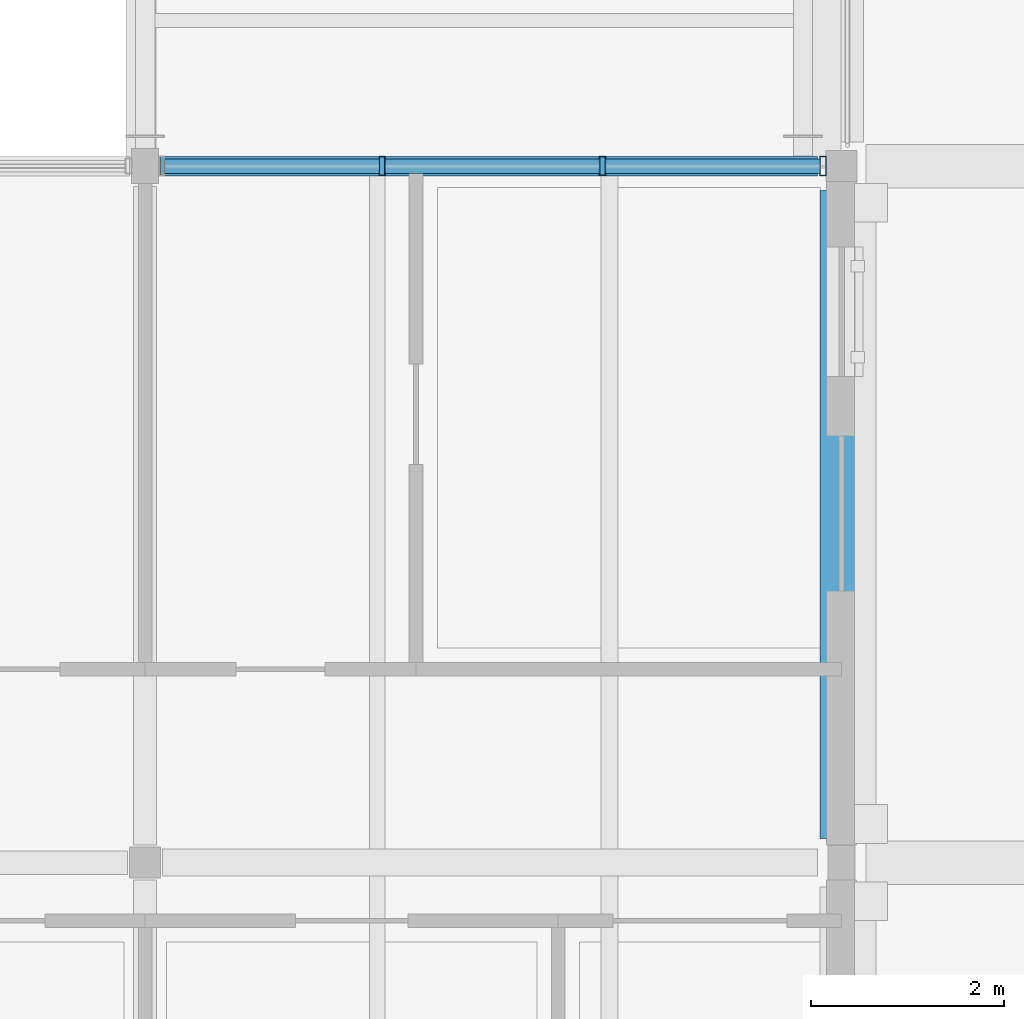
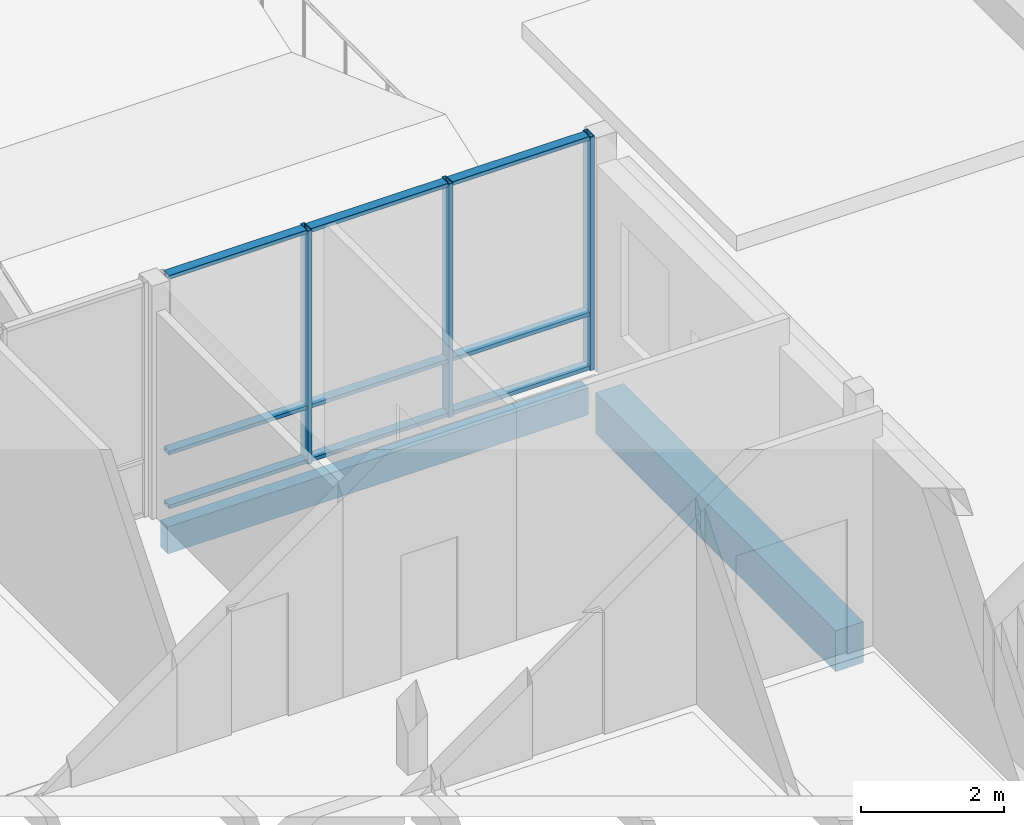
# One storey, part 41 of 115: 12 members, 2 beams, 1 element without a shape of its own.
"""IFC4 building model written with IfcOpenShell, lengths in metres."""

from ifc_helpers import new_model, si_unit, direction, frame, origin, origin_2d, place, context, subcontext, project, spatial, rectangle, hollow_rectangle, extrude, material, material_profile, profile_set, type_object, element, aggregate, save


model = new_model("IFC4")

# Units and contexts
model_context = context("Model", 3, precision=1e-05, world=origin(), true_north=direction((0.0, 1.0)))
body_context = subcontext(model_context, "Body", "Model", "MODEL_VIEW")
ifc_project = project(units=[si_unit("LENGTHUNIT", "METRE"), si_unit("AREAUNIT", "SQUARE_METRE"), si_unit("VOLUMEUNIT", "CUBIC_METRE"), si_unit("PLANEANGLEUNIT", "RADIAN"), si_unit("MASSUNIT", "GRAM", prefix="KILO")], contexts=[model_context])

# Site, building, storey
site_placement = place(None, origin())
site = spatial("IfcSite", under=ifc_project, at=site_placement, CompositionType="ELEMENT")
building_placement = place(site_placement, origin())
building = spatial("IfcBuilding", under=site, at=building_placement, Name="Hawrajan Terrace Health Centre", CompositionType="ELEMENT")
storey_placement = place(building_placement, frame((0.0, 0.0, 9.0)))
storey = spatial("IfcBuildingStorey", under=building, at=storey_placement, Name="L02", CompositionType="ELEMENT", Elevation=9.0)

# Curtain wall, members
ifc_material_1 = material(Name="Anodized bronze aluminium and low-E solar glazing", Category="aluminium")
curtain_wall_type = type_object("IfcCurtainWallType", Name="CW_Court_SeriesA1", PredefinedType="USERDEFINED", material=ifc_material_1)
curtain_wall_placement = place(storey_placement, origin())
curtain_wall = element("IfcCurtainWall", 1, at=curtain_wall_placement, inside=storey, type_object=curtain_wall_type, Name="Curtain wall CW-L02-145", ObjectType="UNITISED CURTAIN WALL", PredefinedType="USERDEFINED")
ifc_material_2 = material(Name="Anodized bronze aluminium 6063-T6", Category="aluminium")
ifc_material_profile_1 = material_profile(ifc_material_2, hollow_rectangle(XDim=0.06494140625, YDim=0.199951171875, WallThickness=0.00439453125, at=origin_2d()), Name="CW MUL 65x200")
ifc_profile_set_1 = profile_set([ifc_material_profile_1], Name="Anodized bronze aluminium 6063-T6")
member_type_1 = type_object("IfcMemberType", Name="CWMullion_65x200", PredefinedType="MULLION", material=ifc_profile_set_1)
member_1_placement = place(storey_placement, frame((110.250732421875, 18.60009765625, -0.0048828125), z_axis=(0.0, 0.0, 1.0), x_axis=(1.0, 0.0, 0.0)))
member_1 = element("IfcMember", 2, at=member_1_placement, type_object=member_type_1, Name="Mullion CW-L02-145-M2", PredefinedType="MULLION", context=body_context, shape_type="SweptSolid", body=[
    extrude(hollow_rectangle(XDim=0.06494140625, YDim=0.199951171875, WallThickness=0.00439453125, at=origin_2d()), origin(), (0.0, 0.0, 1.0), 3.989990234375),
])
member_2_placement = place(storey_placement, frame((112.529296875, 18.60009765625, -0.0048828125), z_axis=(0.0, 0.0, 1.0), x_axis=(1.0, 0.0, 0.0)))
member_2 = element("IfcMember", 3, at=member_2_placement, type_object=member_type_1, Name="Mullion CW-L02-145-M3", PredefinedType="MULLION", context=body_context, shape_type="SweptSolid", body=[
    extrude(hollow_rectangle(XDim=0.06494140625, YDim=0.199951171875, WallThickness=0.00439453125, at=origin_2d()), origin(), (0.0, 0.0, 1.0), 3.989990234375),
])
member_3_placement = place(storey_placement, frame((114.8076171875, 18.60009765625, -0.0048828125), z_axis=(0.0, 0.0, 1.0), x_axis=(1.0, 0.0, 0.0)))
member_3 = element("IfcMember", 4, at=member_3_placement, type_object=member_type_1, Name="Mullion CW-L02-145-M4", PredefinedType="MULLION", context=body_context, shape_type="SweptSolid", body=[
    extrude(hollow_rectangle(XDim=0.06494140625, YDim=0.199951171875, WallThickness=0.00439453125, at=origin_2d()), origin(), (0.0, 0.0, 1.0), 3.989990234375),
])
ifc_material_profile_2 = material_profile(ifc_material_2, hollow_rectangle(XDim=0.06494140625, YDim=0.14990234375, WallThickness=0.00390625, at=origin_2d()), Name="CW TRN 65x150")
ifc_profile_set_2 = profile_set([ifc_material_profile_2], Name="Anodized bronze aluminium 6063-T6")
member_type_2 = type_object("IfcMemberType", Name="CWTransom_65x150", PredefinedType="USERDEFINED", material=ifc_profile_set_2)
member_4_placement = place(storey_placement, frame((107.9990234375, 18.60009765625, 0.032470703125), z_axis=(1.0, 0.0, 0.0), x_axis=(0.0, 0.0, 1.0)))
member_4 = element("IfcMember", 5, at=member_4_placement, type_object=member_type_2, Name="Transom CW-L02-145-T1-1", ObjectType="TRANSOM", PredefinedType="USERDEFINED", context=body_context, shape_type="SweptSolid", body=[
    extrude(hollow_rectangle(XDim=0.06494140625, YDim=0.14990234375, WallThickness=0.00390625, at=origin_2d()), origin(), (0.0, 0.0, 1.0), 2.225341796875),
])
member_5_placement = place(storey_placement, frame((107.9990234375, 18.60009765625, 0.949951171875), z_axis=(1.0, 0.0, 0.0), x_axis=(0.0, 0.0, 1.0)))
member_5 = element("IfcMember", 6, at=member_5_placement, type_object=member_type_2, Name="Transom CW-L02-145-T1-2", ObjectType="TRANSOM", PredefinedType="USERDEFINED", context=body_context, shape_type="SweptSolid", body=[
    extrude(hollow_rectangle(XDim=0.06494140625, YDim=0.14990234375, WallThickness=0.00390625, at=origin_2d()), origin(), (0.0, 0.0, 1.0), 2.225341796875),
])
member_6_placement = place(storey_placement, frame((107.9990234375, 18.60009765625, 3.947509765625), z_axis=(1.0, 0.0, 0.0), x_axis=(0.0, 0.0, 1.0)))
member_6 = element("IfcMember", 7, at=member_6_placement, type_object=member_type_2, Name="Transom CW-L02-145-T1-3", ObjectType="TRANSOM", PredefinedType="USERDEFINED", context=body_context, shape_type="SweptSolid", body=[
    extrude(hollow_rectangle(XDim=0.06494140625, YDim=0.14990234375, WallThickness=0.00390625, at=origin_2d()), origin(), (0.0, 0.0, 1.0), 2.225341796875),
])
member_7_placement = place(storey_placement, frame((110.27734375, 18.60009765625, 0.032470703125), z_axis=(1.0, 0.0, 0.0), x_axis=(0.0, 0.0, 1.0)))
member_7 = element("IfcMember", 8, at=member_7_placement, type_object=member_type_2, Name="Transom CW-L02-145-T2-1", ObjectType="TRANSOM", PredefinedType="USERDEFINED", context=body_context, shape_type="SweptSolid", body=[
    extrude(hollow_rectangle(XDim=0.06494140625, YDim=0.14990234375, WallThickness=0.00390625, at=origin_2d()), origin(), (0.0, 0.0, 1.0), 2.225341796875),
])
member_8_placement = place(storey_placement, frame((110.27734375, 18.60009765625, 0.949951171875), z_axis=(1.0, 0.0, 0.0), x_axis=(0.0, 0.0, 1.0)))
member_8 = element("IfcMember", 9, at=member_8_placement, type_object=member_type_2, Name="Transom CW-L02-145-T2-2", ObjectType="TRANSOM", PredefinedType="USERDEFINED", context=body_context, shape_type="SweptSolid", body=[
    extrude(hollow_rectangle(XDim=0.06494140625, YDim=0.14990234375, WallThickness=0.00390625, at=origin_2d()), origin(), (0.0, 0.0, 1.0), 2.225341796875),
])
member_9_placement = place(storey_placement, frame((110.27734375, 18.60009765625, 3.947509765625), z_axis=(1.0, 0.0, 0.0), x_axis=(0.0, 0.0, 1.0)))
member_9 = element("IfcMember", 10, at=member_9_placement, type_object=member_type_2, Name="Transom CW-L02-145-T2-3", ObjectType="TRANSOM", PredefinedType="USERDEFINED", context=body_context, shape_type="SweptSolid", body=[
    extrude(hollow_rectangle(XDim=0.06494140625, YDim=0.14990234375, WallThickness=0.00390625, at=origin_2d()), origin(), (0.0, 0.0, 1.0), 2.225341796875),
])
member_10_placement = place(storey_placement, frame((112.5556640625, 18.60009765625, 0.032470703125), z_axis=(1.0, 0.0, 0.0), x_axis=(0.0, 0.0, 1.0)))
member_10 = element("IfcMember", 11, at=member_10_placement, type_object=member_type_2, Name="Transom CW-L02-145-T3-1", ObjectType="TRANSOM", PredefinedType="USERDEFINED", context=body_context, shape_type="SweptSolid", body=[
    extrude(hollow_rectangle(XDim=0.06494140625, YDim=0.14990234375, WallThickness=0.00390625, at=origin_2d()), origin(), (0.0, 0.0, 1.0), 2.225341796875),
])
member_11_placement = place(storey_placement, frame((112.5556640625, 18.60009765625, 0.949951171875), z_axis=(1.0, 0.0, 0.0), x_axis=(0.0, 0.0, 1.0)))
member_11 = element("IfcMember", 12, at=member_11_placement, type_object=member_type_2, Name="Transom CW-L02-145-T3-2", ObjectType="TRANSOM", PredefinedType="USERDEFINED", context=body_context, shape_type="SweptSolid", body=[
    extrude(hollow_rectangle(XDim=0.06494140625, YDim=0.14990234375, WallThickness=0.00390625, at=origin_2d()), origin(), (0.0, 0.0, 1.0), 2.225341796875),
])
member_12_placement = place(storey_placement, frame((112.5556640625, 18.60009765625, 3.947509765625), z_axis=(1.0, 0.0, 0.0), x_axis=(0.0, 0.0, 1.0)))
member_12 = element("IfcMember", 13, at=member_12_placement, type_object=member_type_2, Name="Transom CW-L02-145-T3-3", ObjectType="TRANSOM", PredefinedType="USERDEFINED", context=body_context, shape_type="SweptSolid", body=[
    extrude(hollow_rectangle(XDim=0.06494140625, YDim=0.14990234375, WallThickness=0.00390625, at=origin_2d()), origin(), (0.0, 0.0, 1.0), 2.225341796875),
])
aggregate(curtain_wall, [member_1, member_2, member_3, member_4, member_5, member_6, member_7, member_8, member_9, member_10, member_11, member_12])

# Beams
ifc_material_3 = material(Name="Glulam GL32h", Category="wood")
ifc_material_profile_3 = material_profile(ifc_material_3, rectangle(XDim=0.199951171875, YDim=0.4599609375, at=origin_2d()), Name="GL SP 200x460")
ifc_profile_set_3 = profile_set([ifc_material_profile_3], Name="Glulam GL32h")
beam_type_1 = type_object("IfcBeamType", Name="GlulamSpandrel_200x460", PredefinedType="SPANDREL", material=ifc_profile_set_3)
beam_1_placement = place(storey_placement, frame((107.9599609375, 18.60009765625, -0.510009765625), z_axis=(1.0, 0.0, 0.0), x_axis=(0.0, 1.0, 0.0)))
element("IfcBeam", 14, at=beam_1_placement, inside=storey, type_object=beam_type_1, Name="Beam BM-X-L02-C-14-Y3", PredefinedType="SPANDREL", context=body_context, shape_type="SweptSolid", body=[
    extrude(rectangle(XDim=0.199951171875, YDim=0.4599609375, at=origin_2d()), origin(), (0.0, 0.0, 1.0), 6.7900390625),
])
ifc_material_4 = material(Name="Concrete C40/50", Category="concrete")
ifc_material_profile_4 = material_profile(ifc_material_4, rectangle(XDim=0.449951171875, YDim=0.699951171875, at=origin_2d()), Name="RC BM 450x700")
ifc_profile_set_4 = profile_set([ifc_material_profile_4], Name="Concrete C40/50")
beam_type_2 = type_object("IfcBeamType", Name="RCGirder_450x700", PredefinedType="BEAM", material=ifc_profile_set_4)
beam_2_placement = place(storey_placement, frame((115.0, 11.64990234375, -0.6298828125), z_axis=(0.0, 1.0, 0.0), x_axis=(-1.0, 0.0, 0.0)))
element("IfcBeam", 15, at=beam_2_placement, inside=storey, type_object=beam_type_2, Name="Beam BM-Y-L02-C-X15-2", PredefinedType="BEAM", context=body_context, shape_type="SweptSolid", body=[
    extrude(rectangle(XDim=0.449951171875, YDim=0.699951171875, at=origin_2d()), origin(), (0.0, 0.0, 1.0), 6.7001953125),
])

save(model, "model.ifc")
